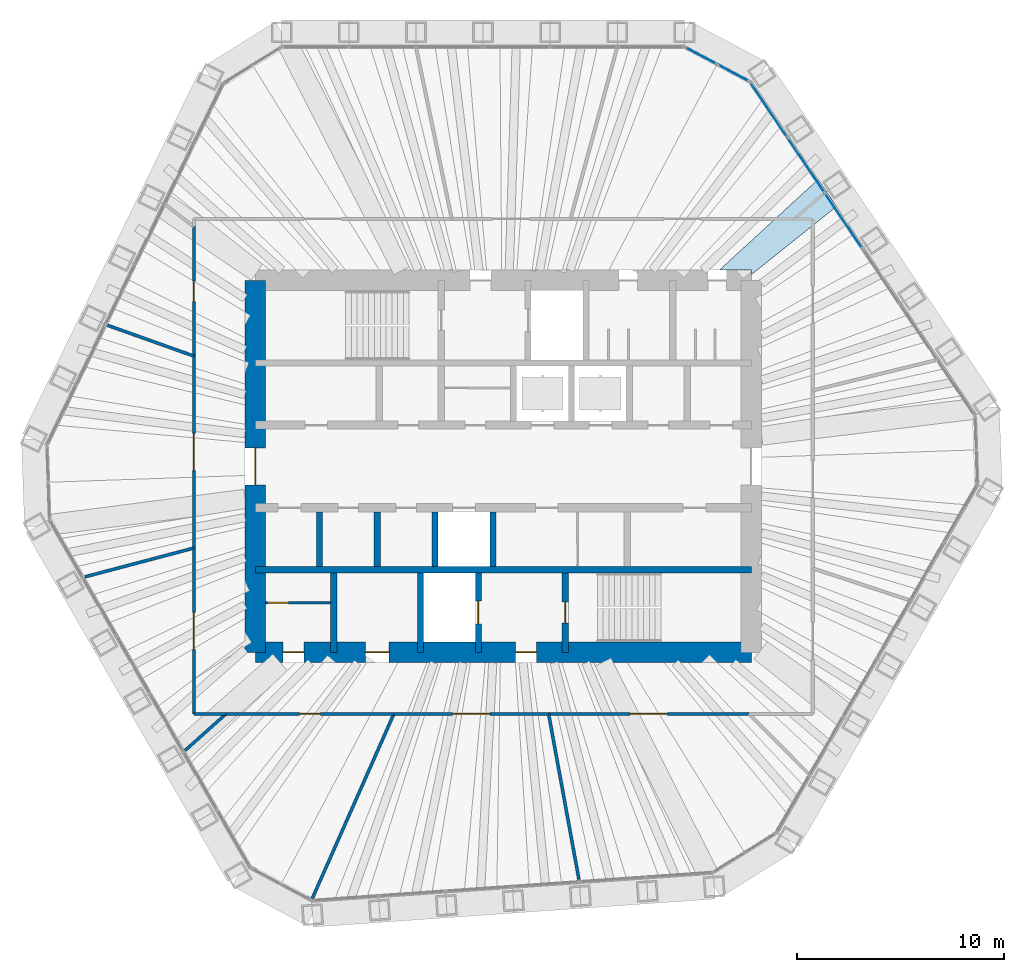
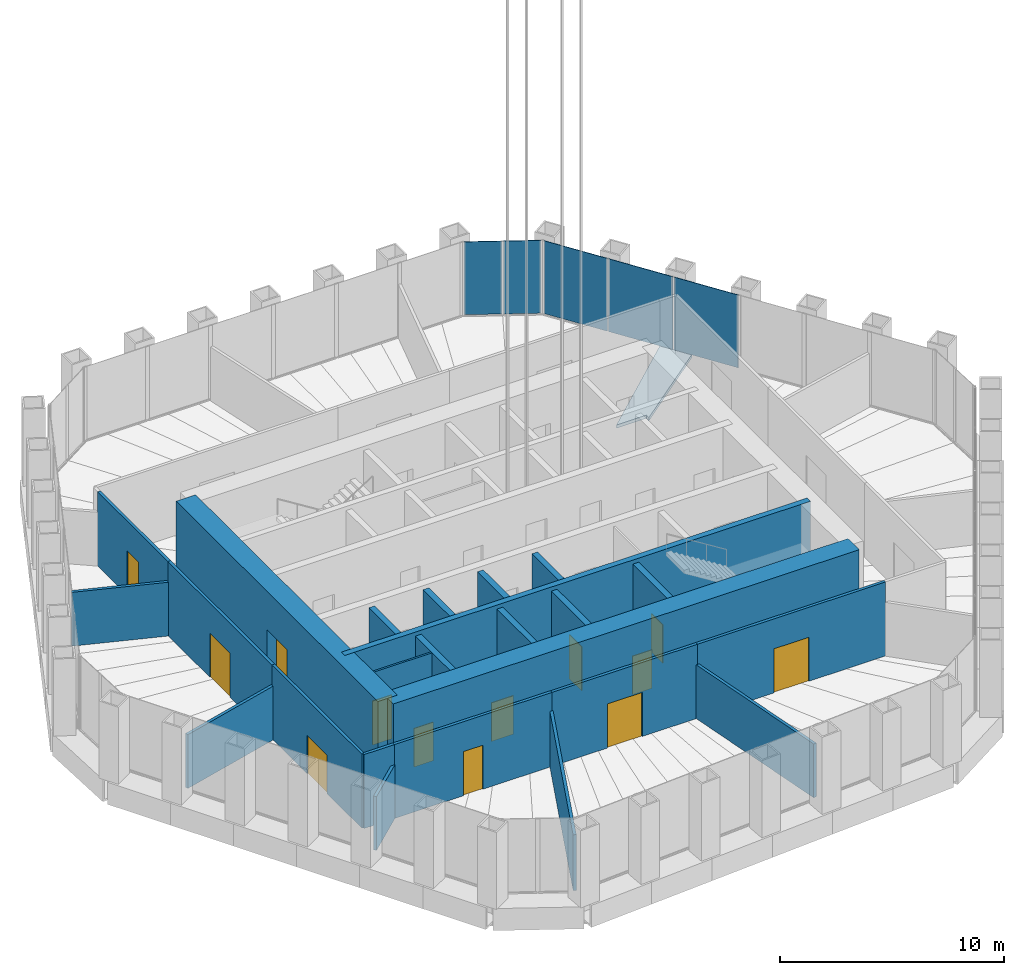
# One storey, part 11 of 19: 24 walls, 13 doors, 5 plates, 1 slab, 13 openings, 2 elements without a shape of their own.
"""IFC4 building model written with IfcOpenShell, lengths in metres."""

from ifc_helpers import new_model, si_unit, direction, frame, frame_2d, origin, origin_2d, place, context, subcontext, project, spatial, polyline, rectangle, outline, extrude, material, layer, layer_set, type_object, element, fill, aggregate, save


model = new_model("IFC4")

# Units and contexts
model_context = context("Model", 3, precision=1e-05, world=origin(), true_north=direction((0.0, 1.0)))
body_context = subcontext(model_context, "Body", "Model", "MODEL_VIEW")
ifc_project = project(units=[si_unit("LENGTHUNIT", "METRE"), si_unit("AREAUNIT", "SQUARE_METRE"), si_unit("VOLUMEUNIT", "CUBIC_METRE"), si_unit("PLANEANGLEUNIT", "RADIAN"), si_unit("MASSUNIT", "GRAM", prefix="KILO")], contexts=[model_context])

# Site, building, storey
site_placement = place(None, origin())
site = spatial("IfcSite", under=ifc_project, at=site_placement, CompositionType="ELEMENT")
building_placement = place(site_placement, origin())
building = spatial("IfcBuilding", under=site, at=building_placement, Name="Qingtian Harvest Tower", CompositionType="ELEMENT")
storey_placement = place(building_placement, frame((0.0, 0.0, 262.0)))
storey = spatial("IfcBuildingStorey", under=building, at=storey_placement, Name="L57", CompositionType="ELEMENT", Elevation=262.0)

# Slab
ifc_material_1 = material(Name="Concrete fc' 35 MPa", Category="concrete")
ifc_layer_1 = layer(ifc_material_1, 0.169921875)
ifc_layer_set_1 = layer_set([ifc_layer_1], Name="Composite floor slab FS17 170")
slab_type = type_object("IfcSlabType", Name="Composite floor slab FS17 170", PredefinedType="FLOOR", material=ifc_layer_set_1)
slab_placement = place(storey_placement, frame((0.0, 0.0, -0.169921875)))
element("IfcSlab", 1, at=slab_placement, inside=storey, type_object=slab_type, Name="Floor slab L57 panel D48", PredefinedType="FLOOR", context=body_context, shape_type="SweptSolid", body=[
    extrude(outline(polyline([(12.0, 9.5), (10.4599609375, 9.5), (15.2431640625, 13.89111328125), (16.12841796875, 12.57861328125), (12.0, 9.2734375), (12.0, 9.5)])), origin(), (0.0, 0.0, 1.0), 0.169921875),
])

# Curtain wall, plates
ifc_material_2 = material(Name="Bronze-anodised aluminium curtain wall", Category="aluminium")
curtain_wall_type = type_object("IfcCurtainWallType", Name="Curtain wall CW3 sky lobby", PredefinedType="USERDEFINED", material=ifc_material_2)
curtain_wall_1_placement = place(storey_placement, origin())
curtain_wall_1 = element("IfcCurtainWall", 2, at=curtain_wall_1_placement, inside=storey, type_object=curtain_wall_type, Name="Curtain wall CW3 L57 NC", ObjectType="RECESSED CURTAIN WALL", PredefinedType="USERDEFINED")
ifc_material_3 = material(Name="Bronze-tinted laminated insulating glass", Category="glass")
ifc_layer_2 = layer(ifc_material_3, 0.030029296875)
ifc_layer_set_2 = layer_set([ifc_layer_2], Name="Glazed panel CWP tinted IGU")
plate_type = type_object("IfcPlateType", Name="Glazed panel CWP tinted IGU", PredefinedType="CURTAIN_PANEL", material=ifc_layer_set_2)
plate_1_placement = place(storey_placement, frame((9.57080078125, 19.8720703125, 0.06494140625), z_axis=(0.0, 0.0, 1.0), x_axis=(0.882947592859, -0.469471562786, 0.0)))
plate_1 = element("IfcPlate", 3, at=plate_1_placement, type_object=plate_type, Name="CW3 panel 1.1", PredefinedType="CURTAIN_PANEL", context=body_context, shape_type="SweptSolid", body=[
    extrude(rectangle(XDim=1.69287109375, YDim=0.030029296875, at=origin_2d()), origin(), (0.0, 0.0, 1.0), 3.965087890625),
])
plate_2_placement = place(storey_placement, frame((11.122802734375, 19.046875, 0.06494140625), z_axis=(0.0, 0.0, 1.0), x_axis=(0.882947592859, -0.469471562786, 0.0)))
plate_2 = element("IfcPlate", 4, at=plate_2_placement, type_object=plate_type, Name="CW3 panel 2.1", PredefinedType="CURTAIN_PANEL", context=body_context, shape_type="SweptSolid", body=[
    extrude(rectangle(XDim=1.69287109375, YDim=0.030029296875, at=origin_2d()), origin(), (0.0, 0.0, 1.0), 3.965087890625),
])
aggregate(curtain_wall_1, [plate_1, plate_2])

curtain_wall_2_placement = place(storey_placement, origin())
curtain_wall_2 = element("IfcCurtainWall", 5, at=curtain_wall_2_placement, inside=storey, type_object=curtain_wall_type, Name="Curtain wall CW3 L57 NE0-5", ObjectType="RECESSED CURTAIN WALL", PredefinedType="USERDEFINED")
plate_3_placement = place(storey_placement, frame((12.844970703125, 17.259033203125, 0.06494140625), z_axis=(0.0, 0.0, 1.0), x_axis=(0.559192903471, -0.829037572555, 0.0)))
plate_3 = element("IfcPlate", 6, at=plate_3_placement, type_object=plate_type, Name="CW3 panel 1.1", PredefinedType="CURTAIN_PANEL", context=body_context, shape_type="SweptSolid", body=[
    extrude(rectangle(XDim=3.150634765625, YDim=0.030029296875, at=origin_2d()), origin(), (0.0, 0.0, 1.0), 3.965087890625),
])
plate_4_placement = place(storey_placement, frame((14.652099609375, 14.579833984375, 0.06494140625), z_axis=(0.0, 0.0, 1.0), x_axis=(0.559192903471, -0.829037572555, 0.0)))
plate_4 = element("IfcPlate", 7, at=plate_4_placement, type_object=plate_type, Name="CW3 panel 2.1", PredefinedType="CURTAIN_PANEL", context=body_context, shape_type="SweptSolid", body=[
    extrude(rectangle(XDim=3.18310546875, YDim=0.030029296875, at=origin_2d()), origin(), (0.0, 0.0, 1.0), 3.965087890625),
])
plate_5_placement = place(storey_placement, frame((16.46826171875, 11.886962890625, 0.06494140625), z_axis=(0.0, 0.0, 1.0), x_axis=(0.559192903471, -0.829037572555, 0.0)))
plate_5 = element("IfcPlate", 8, at=plate_5_placement, type_object=plate_type, Name="CW3 panel 3.1", PredefinedType="CURTAIN_PANEL", context=body_context, shape_type="SweptSolid", body=[
    extrude(rectangle(XDim=3.18310546875, YDim=0.030029296875, at=origin_2d()), origin(), (0.0, 0.0, 1.0), 3.965087890625),
])
aggregate(curtain_wall_2, [plate_3, plate_4, plate_5])

# Walls
ifc_material_4 = material(Name="Concrete fc' 70 MPa", Category="concrete")
ifc_layer_3 = layer(ifc_material_4, 0.300048828125)
ifc_layer_set_3 = layer_set([ifc_layer_3], Name="Core inner wall RC5 300")
wall_type_1 = type_object("IfcWallType", Name="Core inner wall RC5 300", PredefinedType="SHEAR", material=ifc_layer_set_3)
wall_1_placement = place(storey_placement, frame((-12.0, -5.0, 0.0), z_axis=(0.0, 0.0, 1.0), x_axis=(1.0, 0.0, 0.0)))
element("IfcWall", 9, at=wall_1_placement, inside=storey, type_object=wall_type_1, Name="Core wall IS5 L57", PredefinedType="SHEAR", context=body_context, shape_type="SweptSolid", body=[
    extrude(rectangle(XDim=24.0, YDim=0.300048828125, at=frame_2d((12.0, 0.0))), origin(), (0.0, 0.0, 1.0), 4.199951171875),
])
ifc_material_5 = material(Name="Precast concrete shaft panel", Category="concrete")
ifc_layer_4 = layer(ifc_material_5, 0.300048828125)
ifc_layer_set_4 = layer_set([ifc_layer_4], Name="Core shaft partition SW1 300")
wall_type_2 = type_object("IfcWallType", Name="Core shaft partition SW1 300", PredefinedType="PARTITIONING", material=ifc_layer_set_4)
for number, where, z_axis, x_axis, name in (
    (10, (-8.89990234375, -4.85009765625, 0.0), (0.0, 0.0, 1.0), (0.0, 1.0, 0.0), "Core shaft partition XB1 L57"),
    (11, (-6.10009765625, -4.85009765625, 0.0), (0.0, 0.0, 1.0), (0.0, 1.0, 0.0), "Core shaft partition XB2 L57"),
    (12, (-3.300048828125, -4.85009765625, 0.0), (0.0, 0.0, 1.0), (0.0, 1.0, 0.0), "Core shaft partition XB3 L57"),
    (13, (-0.5, -4.85009765625, 0.0), (0.0, 0.0, 1.0), (0.0, 1.0, 0.0), "Core shaft partition XB4 L57"),
):
    element("IfcWall", number, at=place(storey_placement, frame(where, z_axis=z_axis, x_axis=x_axis)), inside=storey, type_object=wall_type_2, Name=name, PredefinedType="PARTITIONING", context=body_context, shape_type="SweptSolid", body=[
        extrude(rectangle(XDim=2.650146484375, YDim=0.300048828125, at=frame_2d((1.3251953125, 0.0))), origin(), (0.0, 0.0, 1.0), 3.97998046875),
    ])
for number, where, z_axis, x_axis, name in (
    (14, (-8.199951171875, -9.0, 0.0), (0.0, 0.0, 1.0), (0.0, 1.0, 0.0), "Core shaft partition XS1 L57"),
    (15, (-4.0, -9.0, 0.0), (0.0, 0.0, 1.0), (0.0, 1.0, 0.0), "Core shaft partition XS2 L57"),
):
    element("IfcWall", number, at=place(storey_placement, frame(where, z_axis=z_axis, x_axis=x_axis)), inside=storey, type_object=wall_type_2, Name=name, PredefinedType="PARTITIONING", context=body_context, shape_type="SweptSolid", body=[
        extrude(rectangle(XDim=3.85009765625, YDim=0.300048828125, at=frame_2d((1.925048828125, 0.0))), origin(), (0.0, 0.0, 1.0), 3.97998046875),
    ])

# Wall, opening, door
wall_2_placement = place(storey_placement, frame((-1.199951171875, -9.0, 0.0), z_axis=(0.0, 0.0, 1.0), x_axis=(0.0, 1.0, 0.0)))
wall_2 = element("IfcWall", 16, at=wall_2_placement, inside=storey, type_object=wall_type_2, Name="Core shaft partition XS3 L57", PredefinedType="PARTITIONING", context=body_context, shape_type="SweptSolid", body=[
    extrude(rectangle(XDim=3.85009765625, YDim=0.300048828125, at=frame_2d((1.925048828125, 0.0))), origin(), (0.0, 0.0, 1.0), 3.97998046875),
])
opening_1_placement = place(wall_2_placement, frame((1.375, 0.0, 0.0)))
opening_1 = element("IfcOpeningElement", 17, at=opening_1_placement, cuts=wall_2, Name="Opening LD1", PredefinedType="OPENING", context=body_context, shape_type="SweptSolid", body=[
    extrude(rectangle(XDim=1.10009765625, YDim=2.39990234375, at=frame_2d((0.550048828125, 1.199951171875))), frame((0.0, 0.159912109375, 0.0), z_axis=(0.0, -1.0, 0.0), x_axis=(1.0, 0.0, 0.0)), (0.0, 0.0, 1.0), 0.320068359375),
])
ifc_material_6 = material(Name="Stainless steel lift landing door", Category="steel")
door_type_1 = type_object("IfcDoorType", Name="Lift landing door LD1 1 HR", OperationType="DOUBLE_DOOR_SLIDING", PredefinedType="DOOR", material=ifc_material_6)
door_1_placement = place(opening_1_placement, origin())
door_1 = element("IfcDoor", 18, at=door_1_placement, inside=storey, type_object=door_type_1, Name="FL2 landing door L57", OperationType="DOUBLE_DOOR_SLIDING", OverallHeight=2.39990234375, OverallWidth=1.10009765625, PredefinedType="DOOR", context=body_context, shape_type="SweptSolid", body=[
    extrude(rectangle(XDim=1.10009765625, YDim=2.39990234375, at=frame_2d((0.550048828125, 1.199951171875))), frame((0.0, 0.02490234375, 0.0), z_axis=(0.0, -1.0, 0.0), x_axis=(1.0, 0.0, 0.0)), (0.0, 0.0, 1.0), 0.050048828125),
])
fill(opening_1, door_1)

wall_3_placement = place(storey_placement, frame((3.0, -9.0, 0.0), z_axis=(0.0, 0.0, 1.0), x_axis=(0.0, 1.0, 0.0)))
wall_3 = element("IfcWall", 19, at=wall_3_placement, inside=storey, type_object=wall_type_2, Name="Core shaft partition XS4 L57", PredefinedType="PARTITIONING", context=body_context, shape_type="SweptSolid", body=[
    extrude(rectangle(XDim=3.85009765625, YDim=0.300048828125, at=frame_2d((1.925048828125, 0.0))), origin(), (0.0, 0.0, 1.0), 3.97998046875),
])
opening_2_placement = place(wall_3_placement, frame((1.425048828125, 0.0, 0.0)))
opening_2 = element("IfcOpeningElement", 20, at=opening_2_placement, cuts=wall_3, Name="Opening FD1", PredefinedType="OPENING", context=body_context, shape_type="SweptSolid", body=[
    extrude(rectangle(XDim=1.0, YDim=2.10009765625, at=frame_2d((0.5, 1.050048828125))), frame((0.0, 0.159912109375, 0.0), z_axis=(0.0, -1.0, 0.0), x_axis=(1.0, 0.0, 0.0)), (0.0, 0.0, 1.0), 0.320068359375),
])
ifc_material_7 = material(Name="Steel-faced door leaf", Category="steel")
door_type_2 = type_object("IfcDoorType", Name="Fire door FD1 single 1 HR", OperationType="SINGLE_SWING_LEFT", PredefinedType="DOOR", material=ifc_material_7)
door_2_placement = place(opening_2_placement, origin())
door_2 = element("IfcDoor", 21, at=door_2_placement, inside=storey, type_object=door_type_2, Name="S2 door L57", OperationType="SINGLE_SWING_LEFT", OverallHeight=2.10009765625, OverallWidth=1.0, PredefinedType="DOOR", context=body_context, shape_type="SweptSolid", body=[
    extrude(rectangle(XDim=1.0, YDim=2.10009765625, at=frame_2d((0.5, 1.050048828125))), frame((0.0, 0.02490234375, 0.0), z_axis=(0.0, -1.0, 0.0), x_axis=(1.0, 0.0, 0.0)), (0.0, 0.0, 1.0), 0.050048828125),
])
fill(opening_2, door_2)

# Wall, openings, doors
ifc_material_8 = material(Name="Concrete fc' 70 MPa", Category="concrete")
ifc_layer_5 = layer(ifc_material_8, 1.0)
ifc_layer_set_5 = layer_set([ifc_layer_5], Name="Core wall RC3 1000")
wall_type_3 = type_object("IfcWallType", Name="Core wall RC3 1000", PredefinedType="SHEAR", material=ifc_layer_set_5)
wall_4_placement = place(storey_placement, frame((-12.0, -9.0, 0.0), z_axis=(0.0, 0.0, 1.0), x_axis=(1.0, 0.0, 0.0)))
wall_4 = element("IfcWall", 22, at=wall_4_placement, inside=storey, type_object=wall_type_3, Name="Core wall CS L57", PredefinedType="SHEAR", context=body_context, shape_type="SweptSolid", body=[
    extrude(rectangle(XDim=24.0, YDim=1.0, at=frame_2d((12.0, 0.0))), origin(), (0.0, 0.0, 1.0), 4.199951171875),
])
opening_3_placement = place(wall_4_placement, frame((1.35009765625, 0.0, 0.0)))
opening_3 = element("IfcOpeningElement", 23, at=opening_3_placement, cuts=wall_4, Name="Opening FD1", PredefinedType="OPENING", context=body_context, shape_type="SweptSolid", body=[
    extrude(rectangle(XDim=1.0, YDim=2.10009765625, at=frame_2d((0.5, 1.050048828125))), frame((0.0, 0.510009765625, 0.0), z_axis=(0.0, -1.0, 0.0), x_axis=(1.0, 0.0, 0.0)), (0.0, 0.0, 1.0), 1.02001953125),
])
opening_4_placement = place(wall_4_placement, frame((5.324951171875, 0.0, 0.0)))
opening_4 = element("IfcOpeningElement", 24, at=opening_4_placement, cuts=wall_4, Name="Opening AD1", PredefinedType="OPENING", context=body_context, shape_type="SweptSolid", body=[
    extrude(rectangle(XDim=1.14990234375, YDim=2.10009765625, at=frame_2d((0.574951171875, 1.050048828125))), frame((0.0, 0.510009765625, 0.0), z_axis=(0.0, -1.0, 0.0), x_axis=(1.0, 0.0, 0.0)), (0.0, 0.0, 1.0), 1.02001953125),
])
opening_5_placement = place(wall_4_placement, frame((12.60009765625, 0.0, 0.0)))
opening_5 = element("IfcOpeningElement", 25, at=opening_5_placement, cuts=wall_4, Name="Opening FD1", PredefinedType="OPENING", context=body_context, shape_type="SweptSolid", body=[
    extrude(rectangle(XDim=1.0, YDim=2.10009765625, at=frame_2d((0.5, 1.050048828125))), frame((0.0, 0.510009765625, 0.0), z_axis=(0.0, -1.0, 0.0), x_axis=(1.0, 0.0, 0.0)), (0.0, 0.0, 1.0), 1.02001953125),
])
ifc_material_9 = material(Name="Laminated timber door leaf", Category="wood")
door_type_3 = type_object("IfcDoorType", Name="Accessible WC door AD1 single", OperationType="SINGLE_SWING_LEFT", PredefinedType="DOOR", material=ifc_material_9)
door_3_placement = place(opening_4_placement, origin())
door_3 = element("IfcDoor", 26, at=door_3_placement, inside=storey, type_object=door_type_3, Name="AWC door L57", OperationType="SINGLE_SWING_LEFT", OverallHeight=2.10009765625, OverallWidth=1.14990234375, PredefinedType="DOOR", context=body_context, shape_type="SweptSolid", body=[
    extrude(rectangle(XDim=1.14990234375, YDim=2.10009765625, at=frame_2d((0.574951171875, 1.050048828125))), frame((0.0, 0.02490234375, 0.0), z_axis=(0.0, -1.0, 0.0), x_axis=(1.0, 0.0, 0.0)), (0.0, 0.0, 1.0), 0.050048828125),
])
fill(opening_4, door_3)
door_4_placement = place(opening_3_placement, origin())
door_4 = element("IfcDoor", 27, at=door_4_placement, inside=storey, type_object=door_type_2, Name="CLN door L57", OperationType="SINGLE_SWING_RIGHT", OverallHeight=2.10009765625, OverallWidth=1.0, PredefinedType="DOOR", context=body_context, shape_type="SweptSolid", body=[
    extrude(rectangle(XDim=1.0, YDim=2.10009765625, at=frame_2d((0.5, 1.050048828125))), frame((0.0, 0.02490234375, 0.0), z_axis=(0.0, -1.0, 0.0), x_axis=(1.0, 0.0, 0.0)), (0.0, 0.0, 1.0), 0.050048828125),
])
fill(opening_3, door_4)
door_5_placement = place(opening_5_placement, origin())
door_5 = element("IfcDoor", 28, at=door_5_placement, inside=storey, type_object=door_type_2, Name="V2 door L57", OperationType="SINGLE_SWING_LEFT", OverallHeight=2.10009765625, OverallWidth=1.0, PredefinedType="DOOR", context=body_context, shape_type="SweptSolid", body=[
    extrude(rectangle(XDim=1.0, YDim=2.10009765625, at=frame_2d((0.5, 1.050048828125))), frame((0.0, 0.02490234375, 0.0), z_axis=(0.0, -1.0, 0.0), x_axis=(1.0, 0.0, 0.0)), (0.0, 0.0, 1.0), 0.050048828125),
])
fill(opening_5, door_5)

# Wall, opening, door
wall_5_placement = place(storey_placement, frame((-12.0, -9.0, 0.0), z_axis=(0.0, 0.0, 1.0), x_axis=(0.0, 1.0, 0.0)))
wall_5 = element("IfcWall", 29, at=wall_5_placement, inside=storey, type_object=wall_type_3, Name="Core wall CW L57", PredefinedType="SHEAR", context=body_context, shape_type="SweptSolid", body=[
    extrude(rectangle(XDim=18.0, YDim=1.0, at=frame_2d((9.0, 0.0))), origin(), (0.0, 0.0, 1.0), 4.199951171875),
])
opening_6_placement = place(wall_5_placement, frame((8.10009765625, 0.0, 0.0)))
opening_6 = element("IfcOpeningElement", 30, at=opening_6_placement, cuts=wall_5, Name="Opening FD2", PredefinedType="OPENING", context=body_context, shape_type="SweptSolid", body=[
    extrude(rectangle(XDim=1.800048828125, YDim=2.10009765625, at=frame_2d((0.89990234375, 1.050048828125))), frame((0.0, 0.510009765625, 0.0), z_axis=(0.0, -1.0, 0.0), x_axis=(1.0, 0.0, 0.0)), (0.0, 0.0, 1.0), 1.02001953125),
])
ifc_material_10 = material(Name="Steel-faced door leaf", Category="steel")
door_type_4 = type_object("IfcDoorType", Name="Fire door FD2 double 1 HR", OperationType="DOUBLE_DOOR_DOUBLE_SWING", PredefinedType="DOOR", material=ifc_material_10)
door_6_placement = place(opening_6_placement, origin())
door_6 = element("IfcDoor", 31, at=door_6_placement, inside=storey, type_object=door_type_4, Name="LOBBY-W door L57", OperationType="DOUBLE_DOOR_DOUBLE_SWING", OverallHeight=2.10009765625, OverallWidth=1.800048828125, PredefinedType="DOOR", context=body_context, shape_type="SweptSolid", body=[
    extrude(rectangle(XDim=1.800048828125, YDim=2.10009765625, at=frame_2d((0.89990234375, 1.050048828125))), frame((0.0, 0.02490234375, 0.0), z_axis=(0.0, -1.0, 0.0), x_axis=(1.0, 0.0, 0.0)), (0.0, 0.0, 1.0), 0.050048828125),
])
fill(opening_6, door_6)

# Walls
ifc_material_11 = material(Name="Fire-rated gypsum board on steel studs", Category="steel")
ifc_layer_6 = layer(ifc_material_11, 0.14990234375)
ifc_layer_set_6 = layer_set([ifc_layer_6], Name="Fire partition FW3 150 1 HR")
wall_type_4 = type_object("IfcWallType", Name="Fire partition FW3 150 1 HR", PredefinedType="PARTITIONING", material=ifc_layer_set_6)
wall_6_placement = place(storey_placement, frame((-15.392578125, -13.743408203125, 0.0), z_axis=(0.0, 0.0, 1.0), x_axis=(0.745931135399, 0.666023078611, 0.0)))
element("IfcWall", 32, at=wall_6_placement, inside=storey, type_object=wall_type_4, Name="Sky lobby lounge wall L57", PredefinedType="PARTITIONING", context=body_context, shape_type="SweptSolid", body=[
    extrude(rectangle(XDim=2.655029296875, YDim=0.14990234375, at=frame_2d((1.32763671875, 0.0))), origin(), (0.0, 0.0, 1.0), 2.929931640625),
])
wall_7_placement = place(storey_placement, frame((-13.412109375, -11.97509765625, 0.0), z_axis=(0.0, 0.0, 1.0), x_axis=(-1.0, 0.0, 0.0)))
element("IfcWall", 33, at=wall_7_placement, inside=storey, type_object=wall_type_4, Name="Sky lobby lounge wall L57", PredefinedType="PARTITIONING", context=body_context, shape_type="SweptSolid", body=[
    extrude(rectangle(XDim=1.56298828125, YDim=0.14990234375, at=frame_2d((0.781494140625, 0.0))), origin(), (0.0, 0.0, 1.0), 4.030029296875),
])

# Wall, opening, door
wall_8_placement = place(storey_placement, frame((-14.97509765625, -11.97509765625, 0.0), z_axis=(0.0, 0.0, 1.0), x_axis=(0.0, 1.0, 0.0)))
wall_8 = element("IfcWall", 34, at=wall_8_placement, inside=storey, type_object=wall_type_4, Name="Sky lobby lounge wall L57", PredefinedType="PARTITIONING", context=body_context, shape_type="SweptSolid", body=[
    extrude(rectangle(XDim=8.020263671875, YDim=0.14990234375, at=frame_2d((4.01025390625, 0.0))), origin(), (0.0, 0.0, 1.0), 4.030029296875),
])
opening_7_placement = place(wall_8_placement, frame((3.110107421875, 0.0, 0.0)))
opening_7 = element("IfcOpeningElement", 35, at=opening_7_placement, cuts=wall_8, Name="Opening FD2", PredefinedType="OPENING", context=body_context, shape_type="SweptSolid", body=[
    extrude(rectangle(XDim=1.800048828125, YDim=2.10009765625, at=frame_2d((0.89990234375, 1.050048828125))), frame((0.0, 0.0849609375, 0.0), z_axis=(0.0, -1.0, 0.0), x_axis=(1.0, 0.0, 0.0)), (0.0, 0.0, 1.0), 0.169921875),
])
door_7_placement = place(opening_7_placement, origin())
door_7 = element("IfcDoor", 36, at=door_7_placement, inside=storey, type_object=door_type_4, Name="Sky lobby lounge door L57", OperationType="DOUBLE_DOOR_DOUBLE_SWING", OverallHeight=2.10009765625, OverallWidth=1.800048828125, PredefinedType="DOOR", context=body_context, shape_type="SweptSolid", body=[
    extrude(rectangle(XDim=1.800048828125, YDim=2.10009765625, at=frame_2d((0.89990234375, 1.050048828125))), frame((0.0, 0.02490234375, 0.0), z_axis=(0.0, -1.0, 0.0), x_axis=(1.0, 0.0, 0.0)), (0.0, 0.0, 1.0), 0.050048828125),
])
fill(opening_7, door_7)

# Wall
wall_9_placement = place(storey_placement, frame((-20.24267578125, -5.345947265625, 0.0), z_axis=(0.0, 0.0, 1.0), x_axis=(0.966852434645, 0.255335797766, 0.0)))
element("IfcWall", 37, at=wall_9_placement, inside=storey, type_object=wall_type_4, Name="Boardroom wall L57", PredefinedType="PARTITIONING", context=body_context, shape_type="SweptSolid", body=[
    extrude(rectangle(XDim=5.4482421875, YDim=0.14990234375, at=frame_2d((2.72412109375, 0.0))), origin(), (0.0, 0.0, 1.0), 2.929931640625),
])

# Wall, opening, door
ifc_material_12 = material(Name="Gypsum board on steel studs", Category="steel")
ifc_layer_7 = layer(ifc_material_12, 0.14990234375)
ifc_layer_set_7 = layer_set([ifc_layer_7], Name="Partition PT1 150")
wall_type_5 = type_object("IfcWallType", Name="Partition PT1 150", PredefinedType="PARTITIONING", material=ifc_layer_set_7)
wall_10_placement = place(storey_placement, frame((-14.97509765625, -3.954833984375, 0.0), z_axis=(0.0, 0.0, 1.0), x_axis=(0.0, 1.0, 0.0)))
wall_10 = element("IfcWall", 38, at=wall_10_placement, inside=storey, type_object=wall_type_5, Name="Boardroom wall L57", PredefinedType="PARTITIONING", context=body_context, shape_type="SweptSolid", body=[
    extrude(rectangle(XDim=9.29296875, YDim=0.14990234375, at=frame_2d((4.646484375, 0.0))), origin(), (0.0, 0.0, 1.0), 4.030029296875),
])
opening_8_placement = place(wall_10_placement, frame((3.74658203125, 0.0, 0.0)))
opening_8 = element("IfcOpeningElement", 39, at=opening_8_placement, cuts=wall_10, Name="Opening D3", PredefinedType="OPENING", context=body_context, shape_type="SweptSolid", body=[
    extrude(rectangle(XDim=1.800048828125, YDim=2.39990234375, at=frame_2d((0.89990234375, 1.199951171875))), frame((0.0, 0.0849609375, 0.0), z_axis=(0.0, -1.0, 0.0), x_axis=(1.0, 0.0, 0.0)), (0.0, 0.0, 1.0), 0.169921875),
])
ifc_material_13 = material(Name="Laminated timber door leaf", Category="wood")
door_type_5 = type_object("IfcDoorType", Name="Room door D3 double", OperationType="DOUBLE_DOOR_DOUBLE_SWING", PredefinedType="DOOR", material=ifc_material_13)
door_8_placement = place(opening_8_placement, origin())
door_8 = element("IfcDoor", 40, at=door_8_placement, inside=storey, type_object=door_type_5, Name="Boardroom door L57", OperationType="DOUBLE_DOOR_DOUBLE_SWING", OverallHeight=2.39990234375, OverallWidth=1.800048828125, PredefinedType="DOOR", context=body_context, shape_type="SweptSolid", body=[
    extrude(rectangle(XDim=1.800048828125, YDim=2.39990234375, at=frame_2d((0.89990234375, 1.199951171875))), frame((0.0, 0.02490234375, 0.0), z_axis=(0.0, -1.0, 0.0), x_axis=(1.0, 0.0, 0.0)), (0.0, 0.0, 1.0), 0.050048828125),
])
fill(opening_8, door_8)

# Wall
wall_11_placement = place(storey_placement, frame((-19.146240234375, 6.8251953125, 0.0), z_axis=(0.0, 0.0, 1.0), x_axis=(0.941930110788, -0.335808973065, 0.0)))
element("IfcWall", 41, at=wall_11_placement, inside=storey, type_object=wall_type_5, Name="Pantry wall L57", PredefinedType="PARTITIONING", context=body_context, shape_type="SweptSolid", body=[
    extrude(rectangle(XDim=4.42822265625, YDim=0.14990234375, at=frame_2d((2.214111328125, 0.0))), origin(), (0.0, 0.0, 1.0), 2.929931640625),
])

# Wall, opening, door
wall_12_placement = place(storey_placement, frame((-14.97509765625, 5.338134765625, 0.0), z_axis=(0.0, 0.0, 1.0), x_axis=(0.0, 1.0, 0.0)))
wall_12 = element("IfcWall", 42, at=wall_12_placement, inside=storey, type_object=wall_type_5, Name="Pantry wall L57", PredefinedType="PARTITIONING", context=body_context, shape_type="SweptSolid", body=[
    extrude(rectangle(XDim=6.260986328125, YDim=0.14990234375, at=frame_2d((3.13037109375, 0.0))), origin(), (0.0, 0.0, 1.0), 4.030029296875),
])
opening_9_placement = place(wall_12_placement, frame((2.63037109375, 0.0, 0.0)))
opening_9 = element("IfcOpeningElement", 43, at=opening_9_placement, cuts=wall_12, Name="Opening D2", PredefinedType="OPENING", context=body_context, shape_type="SweptSolid", body=[
    extrude(rectangle(XDim=1.0, YDim=2.39990234375, at=frame_2d((0.5, 1.199951171875))), frame((0.0, 0.0849609375, 0.0), z_axis=(0.0, -1.0, 0.0), x_axis=(1.0, 0.0, 0.0)), (0.0, 0.0, 1.0), 0.169921875),
])
ifc_material_14 = material(Name="Laminated timber door leaf", Category="wood")
door_type_6 = type_object("IfcDoorType", Name="Room door D2 single", OperationType="SINGLE_SWING_LEFT", PredefinedType="DOOR", material=ifc_material_14)
door_9_placement = place(opening_9_placement, origin())
door_9 = element("IfcDoor", 44, at=door_9_placement, inside=storey, type_object=door_type_6, Name="Pantry door L57", OperationType="SINGLE_SWING_RIGHT", OverallHeight=2.39990234375, OverallWidth=1.0, PredefinedType="DOOR", context=body_context, shape_type="SweptSolid", body=[
    extrude(rectangle(XDim=1.0, YDim=2.39990234375, at=frame_2d((0.5, 1.199951171875))), frame((0.0, 0.02490234375, 0.0), z_axis=(0.0, -1.0, 0.0), x_axis=(1.0, 0.0, 0.0)), (0.0, 0.0, 1.0), 0.050048828125),
])
fill(opening_9, door_9)

wall_13_placement = place(storey_placement, frame((11.888916015625, -11.97509765625, 0.0), z_axis=(0.0, 0.0, 1.0), x_axis=(-1.0, 0.0, 0.0)))
wall_13 = element("IfcWall", 45, at=wall_13_placement, inside=storey, type_object=wall_type_5, Name="Training room wall L57", PredefinedType="PARTITIONING", context=body_context, shape_type="SweptSolid", body=[
    extrude(rectangle(XDim=9.6953125, YDim=0.14990234375, at=frame_2d((4.84765625, 0.0))), origin(), (0.0, 0.0, 1.0), 4.030029296875),
])
opening_10_placement = place(wall_13_placement, frame((3.94775390625, 0.0, 0.0)))
opening_10 = element("IfcOpeningElement", 46, at=opening_10_placement, cuts=wall_13, Name="Opening D3", PredefinedType="OPENING", context=body_context, shape_type="SweptSolid", body=[
    extrude(rectangle(XDim=1.800048828125, YDim=2.39990234375, at=frame_2d((0.89990234375, 1.199951171875))), frame((0.0, 0.0849609375, 0.0), z_axis=(0.0, -1.0, 0.0), x_axis=(1.0, 0.0, 0.0)), (0.0, 0.0, 1.0), 0.169921875),
])
door_10_placement = place(opening_10_placement, origin())
door_10 = element("IfcDoor", 47, at=door_10_placement, inside=storey, type_object=door_type_5, Name="Training room door L57", OperationType="DOUBLE_DOOR_DOUBLE_SWING", OverallHeight=2.39990234375, OverallWidth=1.800048828125, PredefinedType="DOOR", context=body_context, shape_type="SweptSolid", body=[
    extrude(rectangle(XDim=1.800048828125, YDim=2.39990234375, at=frame_2d((0.89990234375, 1.199951171875))), frame((0.0, 0.02490234375, 0.0), z_axis=(0.0, -1.0, 0.0), x_axis=(1.0, 0.0, 0.0)), (0.0, 0.0, 1.0), 0.050048828125),
])
fill(opening_10, door_10)

# Wall
wall_14_placement = place(storey_placement, frame((3.662353515625, -19.993896484375, 0.0), z_axis=(0.0, 0.0, 1.0), x_axis=(-0.180166095058, 0.983636202156, 0.0)))
element("IfcWall", 48, at=wall_14_placement, inside=storey, type_object=wall_type_5, Name="Tenant lounge wall L57", PredefinedType="PARTITIONING", context=body_context, shape_type="SweptSolid", body=[
    extrude(rectangle(XDim=8.152099609375, YDim=0.14990234375, at=frame_2d((4.076171875, 0.0))), origin(), (0.0, 0.0, 1.0), 2.929931640625),
])

# Wall, opening, door
wall_15_placement = place(storey_placement, frame((2.193603515625, -11.97509765625, 0.0), z_axis=(0.0, 0.0, 1.0), x_axis=(-1.0, 0.0, 0.0)))
wall_15 = element("IfcWall", 49, at=wall_15_placement, inside=storey, type_object=wall_type_5, Name="Tenant lounge wall L57", PredefinedType="PARTITIONING", context=body_context, shape_type="SweptSolid", body=[
    extrude(rectangle(XDim=7.48583984375, YDim=0.14990234375, at=frame_2d((3.742919921875, 0.0))), origin(), (0.0, 0.0, 1.0), 4.030029296875),
])
opening_11_placement = place(wall_15_placement, frame((2.8427734375, 0.0, 0.0)))
opening_11 = element("IfcOpeningElement", 50, at=opening_11_placement, cuts=wall_15, Name="Opening D3", PredefinedType="OPENING", context=body_context, shape_type="SweptSolid", body=[
    extrude(rectangle(XDim=1.800048828125, YDim=2.39990234375, at=frame_2d((0.89990234375, 1.199951171875))), frame((0.0, 0.0849609375, 0.0), z_axis=(0.0, -1.0, 0.0), x_axis=(1.0, 0.0, 0.0)), (0.0, 0.0, 1.0), 0.169921875),
])
door_11_placement = place(opening_11_placement, origin())
door_11 = element("IfcDoor", 51, at=door_11_placement, inside=storey, type_object=door_type_5, Name="Tenant lounge door L57", OperationType="DOUBLE_DOOR_DOUBLE_SWING", OverallHeight=2.39990234375, OverallWidth=1.800048828125, PredefinedType="DOOR", context=body_context, shape_type="SweptSolid", body=[
    extrude(rectangle(XDim=1.800048828125, YDim=2.39990234375, at=frame_2d((0.89990234375, 1.199951171875))), frame((0.0, 0.02490234375, 0.0), z_axis=(0.0, -1.0, 0.0), x_axis=(1.0, 0.0, 0.0)), (0.0, 0.0, 1.0), 0.050048828125),
])
fill(opening_11, door_11)

# Wall
wall_16_placement = place(storey_placement, frame((-9.23974609375, -20.906982421875, 0.0), z_axis=(0.0, 0.0, 1.0), x_axis=(0.404237785991, 0.91465393039, 0.0)))
element("IfcWall", 52, at=wall_16_placement, inside=storey, type_object=wall_type_5, Name="Business centre wall L57", PredefinedType="PARTITIONING", context=body_context, shape_type="SweptSolid", body=[
    extrude(rectangle(XDim=9.765380859375, YDim=0.14990234375, at=frame_2d((4.8828125, 0.0))), origin(), (0.0, 0.0, 1.0), 3.030029296875),
])

# Wall, opening, door
wall_17_placement = place(storey_placement, frame((-5.292236328125, -11.97509765625, 0.0), z_axis=(0.0, 0.0, 1.0), x_axis=(-1.0, 0.0, 0.0)))
wall_17 = element("IfcWall", 53, at=wall_17_placement, inside=storey, type_object=wall_type_5, Name="Business centre wall L57", PredefinedType="PARTITIONING", context=body_context, shape_type="SweptSolid", body=[
    extrude(rectangle(XDim=8.119873046875, YDim=0.14990234375, at=frame_2d((4.06005859375, 0.0))), origin(), (0.0, 0.0, 1.0), 4.030029296875),
])
opening_12_placement = place(wall_17_placement, frame((3.559814453125, 0.0, 0.0)))
opening_12 = element("IfcOpeningElement", 54, at=opening_12_placement, cuts=wall_17, Name="Opening D2", PredefinedType="OPENING", context=body_context, shape_type="SweptSolid", body=[
    extrude(rectangle(XDim=1.0, YDim=2.39990234375, at=frame_2d((0.5, 1.199951171875))), frame((0.0, 0.0849609375, 0.0), z_axis=(0.0, -1.0, 0.0), x_axis=(1.0, 0.0, 0.0)), (0.0, 0.0, 1.0), 0.169921875),
])
door_12_placement = place(opening_12_placement, origin())
door_12 = element("IfcDoor", 55, at=door_12_placement, inside=storey, type_object=door_type_6, Name="Business centre door L57", OperationType="SINGLE_SWING_RIGHT", OverallHeight=2.39990234375, OverallWidth=1.0, PredefinedType="DOOR", context=body_context, shape_type="SweptSolid", body=[
    extrude(rectangle(XDim=1.0, YDim=2.39990234375, at=frame_2d((0.5, 1.199951171875))), frame((0.0, 0.02490234375, 0.0), z_axis=(0.0, -1.0, 0.0), x_axis=(1.0, 0.0, 0.0)), (0.0, 0.0, 1.0), 0.050048828125),
])
fill(opening_12, door_12)

ifc_material_15 = material(Name="Concrete block partition", Category="concrete")
ifc_layer_8 = layer(ifc_material_15, 0.10009765625)
ifc_layer_set_8 = layer_set([ifc_layer_8], Name="Store partition PT3 100")
wall_type_6 = type_object("IfcWallType", Name="Store partition PT3 100", PredefinedType="PARTITIONING", material=ifc_layer_set_8)
wall_18_placement = place(storey_placement, frame((-11.5, -6.60009765625, 0.0), z_axis=(0.0, 0.0, 1.0), x_axis=(1.0, 0.0, 0.0)))
wall_18 = element("IfcWall", 56, at=wall_18_placement, inside=storey, type_object=wall_type_6, Name="Waste store wall L57", PredefinedType="PARTITIONING", context=body_context, shape_type="SweptSolid", body=[
    extrude(rectangle(XDim=3.14990234375, YDim=0.10009765625, at=frame_2d((1.574951171875, 0.0))), origin(), (0.0, 0.0, 1.0), 3.97998046875),
])
opening_13_placement = place(wall_18_placement, frame((0.10009765625, 0.0, 0.0)))
opening_13 = element("IfcOpeningElement", 57, at=opening_13_placement, cuts=wall_18, Name="Opening D2", PredefinedType="OPENING", context=body_context, shape_type="SweptSolid", body=[
    extrude(rectangle(XDim=1.0, YDim=2.39990234375, at=frame_2d((0.5, 1.199951171875))), frame((0.0, 0.06005859375, 0.0), z_axis=(0.0, -1.0, 0.0), x_axis=(1.0, 0.0, 0.0)), (0.0, 0.0, 1.0), 0.1201171875),
])
door_13_placement = place(opening_13_placement, origin())
door_13 = element("IfcDoor", 58, at=door_13_placement, inside=storey, type_object=door_type_6, Name="Waste store door L57", OperationType="SINGLE_SWING_RIGHT", OverallHeight=2.39990234375, OverallWidth=1.0, PredefinedType="DOOR", context=body_context, shape_type="SweptSolid", body=[
    extrude(rectangle(XDim=1.0, YDim=2.39990234375, at=frame_2d((0.5, 1.199951171875))), frame((0.0, 0.02490234375, 0.0), z_axis=(0.0, -1.0, 0.0), x_axis=(1.0, 0.0, 0.0)), (0.0, 0.0, 1.0), 0.050048828125),
])
fill(opening_13, door_13)

save(model, "model.ifc")
